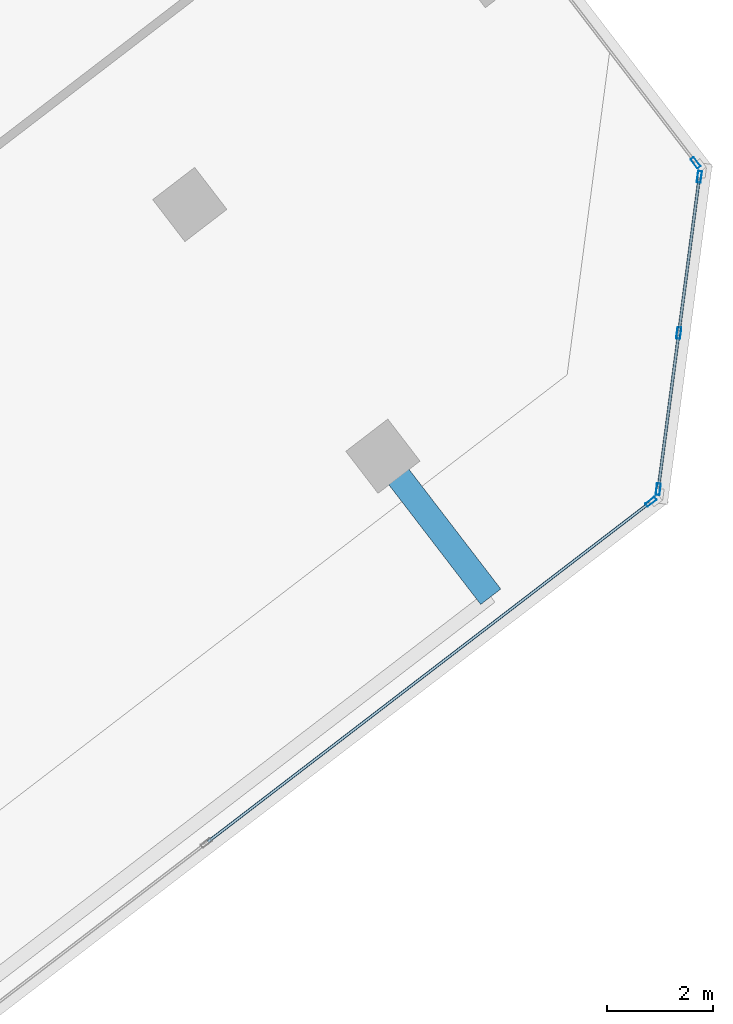
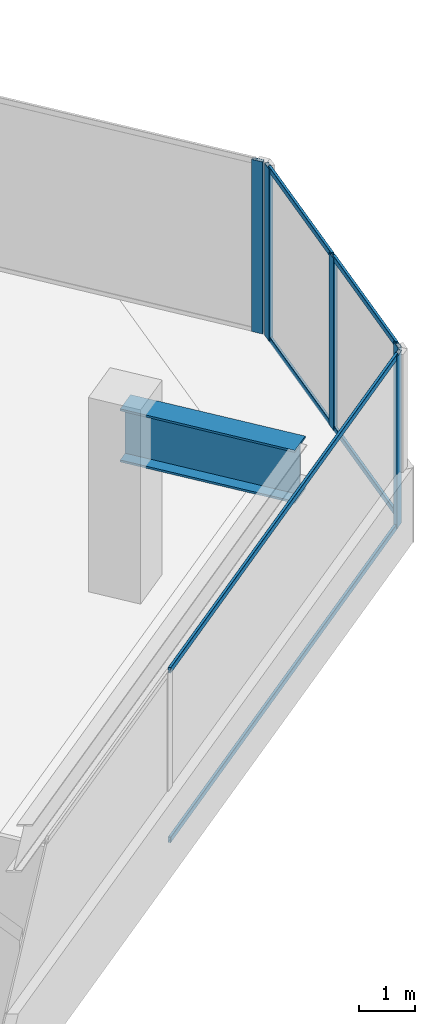
# One storey, part 6 of 17: 11 members, 1 beam, 3 elements without a shape of their own.
"""IFC4 building model written with IfcOpenShell, lengths in metres."""

from ifc_helpers import new_model, si_unit, direction, frame, origin, origin_2d, place, context, subcontext, project, spatial, hollow_rectangle, i_section, extrude, source, transform, mapped, material, material_profile, profile_set, type_object, element, aggregate, save


model = new_model("IFC4")

# Units and contexts
model_context = context("Model", 3, precision=1e-05, world=origin(), true_north=direction((0.0, 1.0)))
body_context = subcontext(model_context, "Body", "Model", "MODEL_VIEW")
ifc_project = project(units=[si_unit("LENGTHUNIT", "METRE"), si_unit("AREAUNIT", "SQUARE_METRE"), si_unit("VOLUMEUNIT", "CUBIC_METRE"), si_unit("PLANEANGLEUNIT", "RADIAN"), si_unit("MASSUNIT", "GRAM", prefix="KILO")], contexts=[model_context])

# Site, building, storey
site_placement = place(None, origin())
site = spatial("IfcSite", under=ifc_project, at=site_placement, CompositionType="ELEMENT")
building_placement = place(site_placement, origin())
building = spatial("IfcBuilding", under=site, at=building_placement, Name="Torre Montelarca", CompositionType="ELEMENT")
storey_placement = place(building_placement, frame((0.0, 0.0, 283.60009765625)))
storey = spatial("IfcBuildingStorey", under=building, at=storey_placement, Name="L64", CompositionType="ELEMENT", Elevation=283.60009765625)

# Beam
ifc_material_1 = material(Name="Steel ASTM A572 Grade 50", Category="steel")
ifc_material_profile_1 = material_profile(ifc_material_1, i_section(OverallWidth=0.47998046875, OverallDepth=1.14990234375, WebThickness=0.02197265625, FlangeThickness=0.044921875, at=origin_2d()), Name="PG1150X480X22X45", Category="steel")
ifc_profile_set_1 = profile_set([ifc_material_profile_1], Name="Steel ASTM A572 Grade 50")
beam_type = type_object("IfcBeamType", Name="BM-CG-PG1400-EXT", PredefinedType="USERDEFINED", material=ifc_profile_set_1)
shared_shape_1 = source(origin(), body_context, "Body", "SweptSolid", [
    extrude(i_section(OverallWidth=0.47998046875, OverallDepth=1.14990234375, WebThickness=0.02197265625, FlangeThickness=0.044921875, at=origin_2d()), origin(), (0.0, 0.0, 1.0), 3.349853515625),
])
beam_placement = place(storey_placement, frame((40.326416015625, 20.606201171875, 3.344970703125), z_axis=(0.608755851541, -0.793357620002, 0.0), x_axis=(0.793357620002, 0.608755851541, 0.0)))
element("IfcBeam", 1, at=beam_placement, inside=storey, type_object=beam_type, Name="L64 Sliding Tray Cantilever Girder East Y=40m (FLR)", ObjectType="CANTILEVER GIRDER", PredefinedType="USERDEFINED", context=body_context, shape_type="MappedRepresentation", body=[
    mapped(shared_shape_1, transform((0.0, 0.0, 0.0), scale=1.0)),
])

# Curtain wall, members
ifc_material_2 = material(Name="Insulated low-E laminated glass", Category="glass")
curtain_wall_type = type_object("IfcCurtainWallType", Name="CW-SYS-Z3", PredefinedType="USERDEFINED", material=ifc_material_2)
curtain_wall_1_placement = place(storey_placement, origin())
curtain_wall_1 = element("IfcCurtainWall", 2, at=curtain_wall_1_placement, inside=storey, type_object=curtain_wall_type, Name="L64 Curtain Wall Run CW-T3-L64-E07-B1", ObjectType="UNITISED GLAZING", PredefinedType="USERDEFINED")
ifc_material_3 = material(Name="Anodised aluminium AA 6063-T6", Category="aluminium")
ifc_material_profile_2 = material_profile(ifc_material_3, hollow_rectangle(XDim=0.054931640625, YDim=0.1201171875, WallThickness=0.00341796875, InnerFilletRadius=0.00341796875, OuterFilletRadius=0.007080078125, at=origin_2d()), Name="ALU55X120X3.5", Category="aluminium")
ifc_profile_set_2 = profile_set([ifc_material_profile_2], Name="Anodised aluminium AA 6063-T6")
member_type_1 = type_object("IfcMemberType", Name="CWT-ALU120", PredefinedType="USERDEFINED", material=ifc_profile_set_2)
shared_shape_2 = source(origin(), body_context, "Body", "SweptSolid", [
    extrude(hollow_rectangle(XDim=0.054931640625, YDim=0.1201171875, WallThickness=0.00341796875, InnerFilletRadius=0.00341796875, OuterFilletRadius=0.007080078125, at=origin_2d()), origin(), (0.0, 0.0, 1.0), 2.903564453125),
])
member_1_placement = place(storey_placement, frame((45.53857421875, 20.0205078125, 0.02734375), z_axis=(0.130500189743, 0.991448284318, 0.0), x_axis=(-0.991448284318, 0.130500189743, 0.0)))
member_1 = element("IfcMember", 3, at=member_1_placement, type_object=member_type_1, Name="CW transom 1.1", ObjectType="TRANSOM", PredefinedType="USERDEFINED", context=body_context, shape_type="MappedRepresentation", body=[
    mapped(shared_shape_2, transform((0.0, 0.0, 0.0), scale=1.0)),
])
member_2_placement = place(storey_placement, frame((45.53857421875, 20.0205078125, 3.6923828125), z_axis=(0.130500189743, 0.991448284318, 0.0), x_axis=(-0.991448284318, 0.130500189743, 0.0)))
member_2 = element("IfcMember", 4, at=member_2_placement, type_object=member_type_1, Name="CW transom 1.2", ObjectType="TRANSOM", PredefinedType="USERDEFINED", context=body_context, shape_type="MappedRepresentation", body=[
    mapped(shared_shape_2, transform((0.0, 0.0, 0.0), scale=1.0)),
])

# Curtain wall, member
curtain_wall_2_placement = place(storey_placement, origin())
curtain_wall_2 = element("IfcCurtainWall", 5, at=curtain_wall_2_placement, inside=storey, type_object=curtain_wall_type, Name="L64 Curtain Wall Run CW-T3-L64-E06-B1", ObjectType="UNITISED GLAZING", PredefinedType="USERDEFINED")
ifc_material_profile_3 = material_profile(ifc_material_3, hollow_rectangle(XDim=0.074951171875, YDim=0.219970703125, WallThickness=0.0048828125, InnerFilletRadius=0.0048828125, OuterFilletRadius=0.010009765625, at=origin_2d()), Name="ALU75X220X5", Category="aluminium")
ifc_profile_set_3 = profile_set([ifc_material_profile_3], Name="Anodised aluminium AA 6063-T6")
member_type_2 = type_object("IfcMemberType", Name="CWM-ALU220", PredefinedType="MULLION", material=ifc_profile_set_3)
shared_shape_3 = source(origin(), body_context, "Body", "SweptSolid", [
    extrude(hollow_rectangle(XDim=0.074951171875, YDim=0.219970703125, WallThickness=0.0048828125, InnerFilletRadius=0.0048828125, OuterFilletRadius=0.010009765625, at=origin_2d()), origin(), (0.0, 0.0, 1.0), 3.719970703125),
])
member_3_placement = place(storey_placement, frame((45.3955078125, 19.744140625, 0.0), z_axis=(0.0, 0.0, 1.0), x_axis=(-0.608763250019, 0.793351942978, 0.0)))
member_3 = element("IfcMember", 6, at=member_3_placement, type_object=member_type_2, Name="CW mullion 3", PredefinedType="MULLION", context=body_context, shape_type="MappedRepresentation", body=[
    mapped(shared_shape_3, transform((0.0, 0.0, 0.0), scale=1.0)),
])

# Member
member_4_placement = place(storey_placement, frame((45.53369140625, 19.9833984375, 0.0), z_axis=(0.0, 0.0, 1.0), x_axis=(-0.991446450787, 0.130514118862, 0.0)))
member_4 = element("IfcMember", 7, at=member_4_placement, type_object=member_type_2, Name="CW mullion 1", PredefinedType="MULLION", context=body_context, shape_type="MappedRepresentation", body=[
    mapped(shared_shape_3, transform((0.0, 0.0, 0.0), scale=1.0)),
])

member_5_placement = place(storey_placement, frame((45.92236328125, 22.9365234375, 0.0), z_axis=(0.0, 0.0, 1.0), x_axis=(-0.991446450787, 0.130514118862, 0.0)))
member_5 = element("IfcMember", 8, at=member_5_placement, type_object=member_type_2, Name="CW mullion 2", PredefinedType="MULLION", context=body_context, shape_type="MappedRepresentation", body=[
    mapped(shared_shape_3, transform((0.0, 0.0, 0.0), scale=1.0)),
])

member_6_placement = place(storey_placement, frame((46.311279296875, 25.8896484375, 0.0), z_axis=(0.0, 0.0, 1.0), x_axis=(-0.991446450787, 0.130514118862, 0.0)))
member_6 = element("IfcMember", 9, at=member_6_placement, type_object=member_type_2, Name="CW mullion 3", PredefinedType="MULLION", context=body_context, shape_type="MappedRepresentation", body=[
    mapped(shared_shape_3, transform((0.0, 0.0, 0.0), scale=1.0)),
])

# Curtain wall, member
curtain_wall_3_placement = place(storey_placement, origin())
curtain_wall_3 = element("IfcCurtainWall", 10, at=curtain_wall_3_placement, inside=storey, type_object=curtain_wall_type, Name="L64 Curtain Wall Run CW-T3-L64-E08-B1", ObjectType="UNITISED GLAZING", PredefinedType="USERDEFINED")
member_7_placement = place(storey_placement, frame((46.23974609375, 26.15625, 0.0), z_axis=(0.0, 0.0, 1.0), x_axis=(-0.793353678896, -0.60876098773, 0.0)))
member_7 = element("IfcMember", 11, at=member_7_placement, type_object=member_type_2, Name="CW mullion 1", PredefinedType="MULLION", context=body_context, shape_type="MappedRepresentation", body=[
    mapped(shared_shape_3, transform((0.0, 0.0, 0.0), scale=1.0)),
])
aggregate(curtain_wall_3, [member_7])

# Member
shared_shape_4 = source(origin(), body_context, "Body", "SweptSolid", [
    extrude(hollow_rectangle(XDim=0.054931640625, YDim=0.1201171875, WallThickness=0.00341796875, InnerFilletRadius=0.00341796875, OuterFilletRadius=0.007080078125, at=origin_2d()), origin(), (0.0, 0.0, 1.0), 10.521728515625),
])
member_8_placement = place(storey_placement, frame((37.018310546875, 13.31591796875, 0.02734375), z_axis=(0.793349721121, 0.608766145574, 0.0), x_axis=(-0.608766145574, 0.793349721121, 0.0)))
member_8 = element("IfcMember", 12, at=member_8_placement, type_object=member_type_1, Name="CW transom 2.1", ObjectType="TRANSOM", PredefinedType="USERDEFINED", context=body_context, shape_type="MappedRepresentation", body=[
    mapped(shared_shape_4, transform((0.0, 0.0, 0.0), scale=1.0)),
])

member_9_placement = place(storey_placement, frame((37.018310546875, 13.31591796875, 3.6923828125), z_axis=(0.793349721121, 0.608766145574, 0.0), x_axis=(-0.608766145574, 0.793349721121, 0.0)))
member_9 = element("IfcMember", 13, at=member_9_placement, type_object=member_type_1, Name="CW transom 2.2", ObjectType="TRANSOM", PredefinedType="USERDEFINED", context=body_context, shape_type="MappedRepresentation", body=[
    mapped(shared_shape_4, transform((0.0, 0.0, 0.0), scale=1.0)),
])

aggregate(curtain_wall_2, [member_3, member_8, member_9])

shared_shape_5 = source(origin(), body_context, "Body", "SweptSolid", [
    extrude(hollow_rectangle(XDim=0.054931640625, YDim=0.1201171875, WallThickness=0.00341796875, InnerFilletRadius=0.00341796875, OuterFilletRadius=0.007080078125, at=origin_2d()), origin(), (0.0, 0.0, 1.0), 2.90380859375),
])
member_10_placement = place(storey_placement, frame((45.92724609375, 22.9736328125, 0.02734375), z_axis=(0.130571956517, 0.991438835315, 0.0), x_axis=(-0.991438835315, 0.130571956517, 0.0)))
member_10 = element("IfcMember", 14, at=member_10_placement, type_object=member_type_1, Name="CW transom 2.1", ObjectType="TRANSOM", PredefinedType="USERDEFINED", context=body_context, shape_type="MappedRepresentation", body=[
    mapped(shared_shape_5, transform((0.0, 0.0, 0.0), scale=1.0)),
])

member_11_placement = place(storey_placement, frame((45.92724609375, 22.9736328125, 3.6923828125), z_axis=(0.130571956517, 0.991438835315, 0.0), x_axis=(-0.991438835315, 0.130571956517, 0.0)))
member_11 = element("IfcMember", 15, at=member_11_placement, type_object=member_type_1, Name="CW transom 2.2", ObjectType="TRANSOM", PredefinedType="USERDEFINED", context=body_context, shape_type="MappedRepresentation", body=[
    mapped(shared_shape_5, transform((0.0, 0.0, 0.0), scale=1.0)),
])

aggregate(curtain_wall_1, [member_4, member_5, member_6, member_1, member_2, member_10, member_11])

save(model, "model.ifc")
